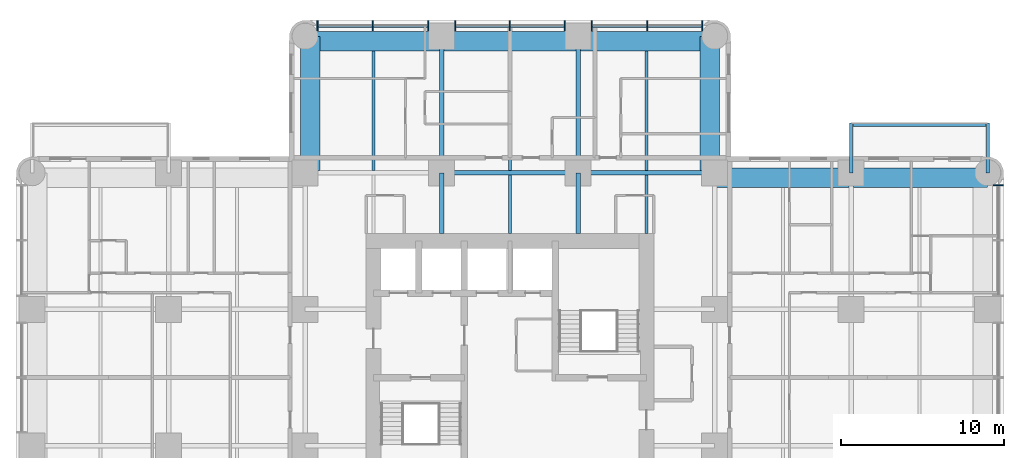
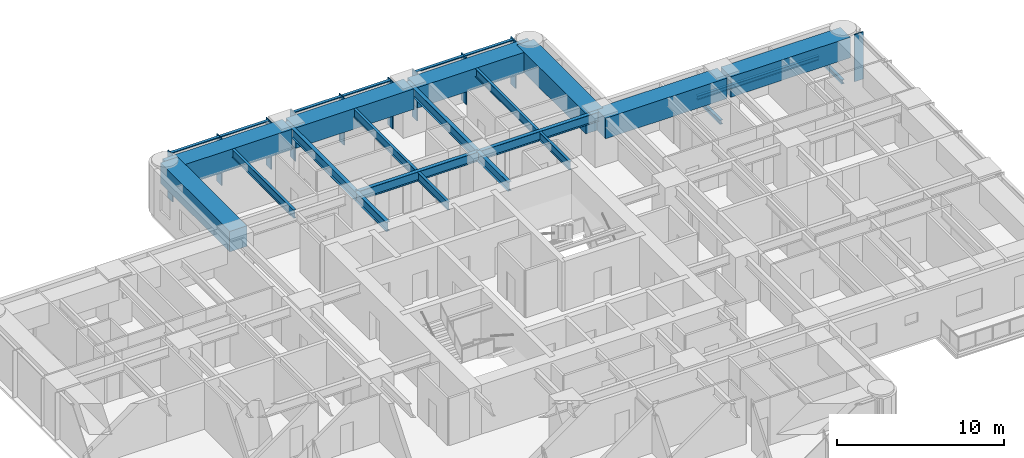
# One storey, part 4 of 15: 21 beams, 16 members, 2 elements without a shape of their own.
"""IFC4 building model written with IfcOpenShell, lengths in metres."""

import ifcopenshell
import ifcopenshell.guid

model = None  # the IFC model being written
_history = None  # IfcOwnerHistory: only IFC2X3 demands one
_inside = {}  # id of a spatial element -> (the spatial element, [elements in it])
_under = {}  # id of a project, library or spatial element -> (it, [spatial elements below it])
_declared = {}  # id of a project -> (the project, [libraries it declares])
_typed = {}  # id of a type object -> (the type object, [elements of that type])
_made_of = {}  # id of a material, layer set ... -> (it, [elements and type objects made of it])


def new_model(schema):
    """Start an empty IFC model of exactly this schema.

    Asked for "IFC4X3", IfcOpenShell would pick the latest addendum, in which some entities
    have other attributes; the version numbers below select the first issue.
    IFC2X3 requires an IfcOwnerHistory on every rooted entity: one is made here for all.
    """
    global model, _history
    if schema == "IFC4X3":
        model = ifcopenshell.file(schema_version=(4, 3, 0, 0))
    else:
        model = ifcopenshell.file(schema=schema)
    _inside.clear()
    _under.clear()
    _declared.clear()
    _typed.clear()
    _made_of.clear()
    _history = None
    if model.schema == "IFC2X3":
        org = make("IfcOrganization", Name="unknown")
        user = make(
            "IfcPersonAndOrganization",
            ThePerson=make("IfcPerson", FamilyName="unknown"),
            TheOrganization=org,
        )
        app = make(
            "IfcApplication",
            ApplicationDeveloper=org,
            Version="unknown",
            ApplicationFullName="unknown",
            ApplicationIdentifier="unknown",
        )
        _history = make(
            "IfcOwnerHistory",
            OwningUser=user,
            OwningApplication=app,
            ChangeAction="ADDED",
            CreationDate=0,
        )
    return model


def make(cls, **values):
    """One entity of the class cls with the attributes given. An attribute that is None is left unset."""
    return model.create_entity(
        cls, **{name: value for name, value in values.items() if value is not None}
    )


def rooted(cls, **values):
    """An entity with a GlobalId (a new one), such as an element, a storey or a relation."""
    return make(cls, GlobalId=ifcopenshell.guid.new(), OwnerHistory=_history, **values)


def si_unit(unit_type, name, prefix=None):
    """IfcSIUnit, for example si_unit("LENGTHUNIT", "METRE", prefix="MILLI")."""
    return make("IfcSIUnit", UnitType=unit_type, Prefix=prefix, Name=name)


def assignment(units):
    """IfcUnitAssignment: the units of a project."""
    return None if units is None else make("IfcUnitAssignment", Units=units)


def point(xyz):
    """IfcCartesianPoint."""
    return None if xyz is None else make("IfcCartesianPoint", Coordinates=xyz)


def direction(xyz):
    """IfcDirection."""
    return None if xyz is None else make("IfcDirection", DirectionRatios=xyz)


def frame(location, z_axis=None, x_axis=None):
    """IfcAxis2Placement3D, a coordinate frame: its origin and axes. An axis left out is left unset."""
    return make(
        "IfcAxis2Placement3D",
        Location=point(location),
        Axis=direction(z_axis),
        RefDirection=direction(x_axis),
    )


def frame_2d(location, x_axis=None):
    """IfcAxis2Placement2D, a coordinate frame in the plane: its origin and x axis."""
    return make(
        "IfcAxis2Placement2D", Location=point(location), RefDirection=direction(x_axis)
    )


def origin():
    """The frame at (0, 0, 0) with its axes left unset."""
    return frame((0.0, 0.0, 0.0))


def origin_2d():
    """The frame at (0, 0) in the plane with its x axis left unset."""
    return frame_2d((0.0, 0.0))


def place(relative_to, where):
    """IfcLocalPlacement: puts the frame where relative to a parent placement (None: the world)."""
    return make(
        "IfcLocalPlacement", PlacementRelTo=relative_to, RelativePlacement=where
    )


def context(
    kind, dimensions, precision=None, world=None, true_north=None, identifier=None
):
    """IfcGeometricRepresentationContext, for example the 3D "Model" context."""
    return make(
        "IfcGeometricRepresentationContext",
        ContextIdentifier=identifier,
        ContextType=kind,
        CoordinateSpaceDimension=dimensions,
        Precision=precision,
        WorldCoordinateSystem=world,
        TrueNorth=true_north,
    )


def subcontext(parent, identifier, kind, view, scale=None):
    """IfcGeometricRepresentationSubContext, for example "Body" below "Model"."""
    return make(
        "IfcGeometricRepresentationSubContext",
        ContextIdentifier=identifier,
        ContextType=kind,
        ParentContext=parent,
        TargetScale=scale,
        TargetView=view,
    )


def project(units=None, contexts=None):
    """IfcProject with its units and contexts."""
    return rooted(
        "IfcProject",
        Name="project",
        RepresentationContexts=contexts,
        UnitsInContext=assignment(units),
    )


def spatial(cls, under=None, at=None, **own):
    """A site, building, storey or space (cls), placed at a placement, below another one or the project."""
    s = rooted(cls, ObjectPlacement=at, **own)
    if under is not None:
        _under.setdefault(under.id(), (under, []))[1].append(s)
    return s


def profile(cls, at=None, kind="AREA", **sizes):
    """A parametric profile (cls). Its sizes go by their IFC names, for example OverallWidth=200.0."""
    return make(cls, ProfileType=kind, Position=at, **sizes)


def rectangle(**sizes):
    """IfcRectangleProfileDef."""
    return profile("IfcRectangleProfileDef", **sizes)


def i_section(**sizes):
    """IfcIShapeProfileDef."""
    return profile("IfcIShapeProfileDef", **sizes)


def extrude(swept, where, along, depth):
    """IfcExtrudedAreaSolid: the profile swept, set in the frame where, extruded along a direction by depth."""
    return make(
        "IfcExtrudedAreaSolid",
        SweptArea=swept,
        Position=where,
        ExtrudedDirection=direction(along),
        Depth=depth,
    )


def shape(context_of_items, identifier, shape_type, items):
    """IfcShapeRepresentation: the items that make up one representation, for example the "Body"."""
    return make(
        "IfcShapeRepresentation",
        ContextOfItems=context_of_items,
        RepresentationIdentifier=identifier,
        RepresentationType=shape_type,
        Items=items,
    )


def material(Name=None, Category=None):
    """IfcMaterial."""
    return make("IfcMaterial", Name=Name, Category=Category)


def material_profile(
    of_material, cross_section, Name=None, Category=None, Priority=None
):
    """IfcMaterialProfile: a cross section and its material."""
    return make(
        "IfcMaterialProfile",
        Name=Name,
        Material=of_material,
        Profile=cross_section,
        Priority=Priority,
        Category=Category,
    )


def profile_set(profiles, Name=None, composite=None):
    """IfcMaterialProfileSet."""
    return make(
        "IfcMaterialProfileSet",
        Name=Name,
        MaterialProfiles=profiles,
        CompositeProfile=composite,
    )


def made_of(thing, what):
    """Note that an element or type object is made of a material, layer set ...; save() writes the relation."""
    if what is not None:
        _made_of.setdefault(what.id(), (what, []))[1].append(thing)
    return thing


def type_object(cls, material=None, **own):
    """A type object (cls), such as IfcWallType, which elements share."""
    return made_of(rooted(cls, **own), material)


def element(
    cls,
    number,
    at=None,
    inside=None,
    cuts=None,
    type_object=None,
    material=None,
    context=None,
    identifier="Body",
    shape_type=None,
    held_by="IfcProductDefinitionShape",
    body=None,
    shapes=None,
    **own,
):
    """One element of the class cls, such as IfcWall. Its Tag is "e" and its number.

    at: its placement. inside: the storey or other place that contains it. cuts: it is an
    opening in that element (IfcRelVoidsElement). A single representation is given by context,
    identifier, shape_type and body (its items); several are given by shapes. held_by: the class
    of the entity that holds the representations. save() writes the other relations.
    """
    e = rooted(cls, Tag="e%d" % number, ObjectPlacement=at, **own)
    if body is not None:
        shapes = [shape(context, identifier, shape_type, body)]
    if shapes is not None:
        e.Representation = make(held_by, Representations=shapes)
    if inside is not None:
        _inside.setdefault(inside.id(), (inside, []))[1].append(e)
    if cuts is not None:
        rooted(
            "IfcRelVoidsElement", RelatingBuildingElement=cuts, RelatedOpeningElement=e
        )
    if type_object is not None:
        _typed.setdefault(type_object.id(), (type_object, []))[1].append(e)
    return made_of(e, material)


def aggregate(whole, parts):
    """IfcRelAggregates: a whole, such as a stair, and the parts it consists of."""
    return rooted("IfcRelAggregates", RelatingObject=whole, RelatedObjects=parts)


def save(model, path):
    """Write the relations noted so far, then the file.

    IfcRelAggregates (storeys below a building ...), IfcRelContainedInSpatialStructure (elements
    in a storey), IfcRelDefinesByType, IfcRelAssociatesMaterial and IfcRelDeclares: one each for
    every whole, place, type object, material and project.
    """
    for whole, parts in _under.values():
        aggregate(whole, parts)
    for where, things in _inside.values():
        rooted(
            "IfcRelContainedInSpatialStructure",
            RelatedElements=things,
            RelatingStructure=where,
        )
    for kind, things in _typed.values():
        rooted("IfcRelDefinesByType", RelatedObjects=things, RelatingType=kind)
    for what, things in _made_of.values():
        rooted("IfcRelAssociatesMaterial", RelatedObjects=things, RelatingMaterial=what)
    for by, libraries in _declared.values():
        rooted("IfcRelDeclares", RelatingContext=by, RelatedDefinitions=libraries)
    model.write(path)


model = new_model("IFC4")

# Units and contexts
model_context = context("Model", 3, precision=1e-05, world=origin(), true_north=direction((0.0, 1.0)))
body_context = subcontext(model_context, "Body", "Model", "MODEL_VIEW")
ifc_project = project(units=[si_unit("LENGTHUNIT", "METRE"), si_unit("AREAUNIT", "SQUARE_METRE"), si_unit("VOLUMEUNIT", "CUBIC_METRE"), si_unit("PLANEANGLEUNIT", "RADIAN"), si_unit("MASSUNIT", "GRAM", prefix="KILO")], contexts=[model_context])

# Site, building, storey
site_placement = place(None, origin())
site = spatial("IfcSite", under=ifc_project, at=site_placement, CompositionType="ELEMENT")
building_placement = place(site_placement, origin())
building = spatial("IfcBuilding", under=site, at=building_placement, Name="Torre Alcanfor", CompositionType="ELEMENT")
storey_placement = place(building_placement, frame((0.0, 0.0, 144.89990234375)))
storey = spatial("IfcBuildingStorey", under=building, at=storey_placement, Name="L37", CompositionType="ELEMENT", Elevation=144.89990234375)

# Beams
ifc_material_1 = material(Name="Steel ASTM A992 Grade 50", Category="steel")
ifc_material_profile_1 = material_profile(ifc_material_1, i_section(OverallWidth=0.205322265625, OverallDepth=0.309814453125, WebThickness=0.00927734375, FlangeThickness=0.016357421875, at=origin_2d()), Name="W12x50")
ifc_profile_set_1 = profile_set([ifc_material_profile_1], Name="Steel ASTM A992 Grade 50")
beam_type_1 = type_object("IfcBeamType", Name="Balcony cantilever beam W12x50", PredefinedType="BEAM", material=ifc_profile_set_1)
for number, where, z_axis, x_axis, name in (
    (1, (50.39990234375, 42.0, -0.354736328125), (0.0, 1.0, 0.0), (-1.0, 0.0, 0.0), "Balcony cantilever beam L37-E1 1"),
    (2, (58.800048828125, 42.0, -0.354736328125), (0.0, 1.0, 0.0), (-1.0, 0.0, 0.0), "Balcony cantilever beam L37-E1 2"),
):
    element("IfcBeam", number, at=place(storey_placement, frame(where, z_axis=z_axis, x_axis=x_axis)), inside=storey, type_object=beam_type_1, Name=name, PredefinedType="BEAM", context=body_context, shape_type="SweptSolid", body=[
        extrude(i_section(OverallWidth=0.205322265625, OverallDepth=0.309814453125, WebThickness=0.00927734375, FlangeThickness=0.016357421875, at=origin_2d()), origin(), (0.0, 0.0, 1.0), 3.050048828125),
    ])
ifc_material_2 = material(Name="Steel ASTM A992 Grade 50", Category="steel")
ifc_material_profile_2 = material_profile(ifc_material_2, i_section(OverallWidth=0.203369140625, OverallDepth=0.30224609375, WebThickness=0.007568359375, FlangeThickness=0.01318359375, at=origin_2d()), Name="W12x40")
ifc_profile_set_2 = profile_set([ifc_material_profile_2], Name="Steel ASTM A992 Grade 50")
beam_type_2 = type_object("IfcBeamType", Name="Balcony edge trimmer W12x40", PredefinedType="BEAM", material=ifc_profile_set_2)
beam_1_placement = place(storey_placement, frame((50.39990234375, 44.9482421875, -0.35107421875), z_axis=(1.0, 0.0, 0.0), x_axis=(0.0, 1.0, 0.0)))
element("IfcBeam", 3, at=beam_1_placement, inside=storey, type_object=beam_type_2, Name="Balcony edge trimmer L37-E1", PredefinedType="BEAM", context=body_context, shape_type="SweptSolid", body=[
    extrude(i_section(OverallWidth=0.203369140625, OverallDepth=0.30224609375, WebThickness=0.007568359375, FlangeThickness=0.01318359375, at=origin_2d()), origin(), (0.0, 0.0, 1.0), 8.400146484375),
])

# Curtain wall, member
ifc_material_3 = material(Name="Aluminium and glass", Category="aluminium")
curtain_wall_type = type_object("IfcCurtainWallType", Name="CW-A unitised apartment glazing with vertical FIN", PredefinedType="NOTDEFINED", material=ifc_material_3)
curtain_wall_1_placement = place(storey_placement, origin())
curtain_wall_1 = element("IfcCurtainWall", 4, at=curtain_wall_1_placement, inside=storey, type_object=curtain_wall_type, Name="Curtain wall CW-A L37 8", PredefinedType="NOTDEFINED")
ifc_material_4 = material(Name="Bronze anodised aluminium", Category="aluminium")
ifc_material_profile_3 = material_profile(ifc_material_4, rectangle(XDim=0.60009765625, YDim=0.06494140625, at=origin_2d()), Name="CW-A mullion 65x600")
ifc_profile_set_3 = profile_set([ifc_material_profile_3], Name="Bronze anodised aluminium")
member_type_1 = type_object("IfcMemberType", Name="CW-A mullion with vertical FIN 65x600", PredefinedType="MULLION", material=ifc_profile_set_3)
member_1_placement = place(storey_placement, frame((59.449951171875, 41.24267578125, 0.0), z_axis=(0.0, 0.0, 1.0), x_axis=(-1.0, 0.0, 0.0)))
member_1 = element("IfcMember", 5, at=member_1_placement, type_object=member_type_1, Name="CW-A mullion 3.3", PredefinedType="MULLION", context=body_context, shape_type="SweptSolid", body=[
    extrude(rectangle(XDim=0.60009765625, YDim=0.06494140625, at=origin_2d()), origin(), (0.0, 0.0, 1.0), 3.4501953125),
])
aggregate(curtain_wall_1, [member_1])

# Curtain wall, members
curtain_wall_2_placement = place(storey_placement, origin())
curtain_wall_2 = element("IfcCurtainWall", 6, at=curtain_wall_2_placement, inside=storey, type_object=curtain_wall_type, Name="Curtain wall CW-A L37 11", PredefinedType="NOTDEFINED")
member_2_placement = place(storey_placement, frame((41.24267578125, 51.050048828125, 0.0), z_axis=(0.0, 0.0, 1.0), x_axis=(0.0, -1.0, 0.0)))
member_2 = element("IfcMember", 7, at=member_2_placement, type_object=member_type_1, Name="CW-A mullion 1.1", PredefinedType="MULLION", context=body_context, shape_type="SweptSolid", body=[
    extrude(rectangle(XDim=0.60009765625, YDim=0.06494140625, at=origin_2d()), origin(), (0.0, 0.0, 1.0), 3.4501953125),
])
member_3_placement = place(storey_placement, frame((37.840087890625, 51.050048828125, 0.0), z_axis=(0.0, 0.0, 1.0), x_axis=(0.0, -1.0, 0.0)))
member_3 = element("IfcMember", 8, at=member_3_placement, type_object=member_type_1, Name="CW-A mullion 1.2", PredefinedType="MULLION", context=body_context, shape_type="SweptSolid", body=[
    extrude(rectangle(XDim=0.60009765625, YDim=0.06494140625, at=origin_2d()), origin(), (0.0, 0.0, 1.0), 3.4501953125),
])
member_4_placement = place(storey_placement, frame((34.4375, 51.050048828125, 0.0), z_axis=(0.0, 0.0, 1.0), x_axis=(0.0, -1.0, 0.0)))
member_4 = element("IfcMember", 9, at=member_4_placement, type_object=member_type_1, Name="CW-A mullion 1.3", PredefinedType="MULLION", context=body_context, shape_type="SweptSolid", body=[
    extrude(rectangle(XDim=0.60009765625, YDim=0.06494140625, at=origin_2d()), origin(), (0.0, 0.0, 1.0), 3.4501953125),
])
member_5_placement = place(storey_placement, frame((32.762451171875, 51.050048828125, 0.0), z_axis=(0.0, 0.0, 1.0), x_axis=(0.0, -1.0, 0.0)))
member_5 = element("IfcMember", 10, at=member_5_placement, type_object=member_type_1, Name="CW-A mullion 2.1", PredefinedType="MULLION", context=body_context, shape_type="SweptSolid", body=[
    extrude(rectangle(XDim=0.60009765625, YDim=0.06494140625, at=origin_2d()), origin(), (0.0, 0.0, 1.0), 3.4501953125),
])
member_6_placement = place(storey_placement, frame((29.39990234375, 51.050048828125, 0.0), z_axis=(0.0, 0.0, 1.0), x_axis=(0.0, -1.0, 0.0)))
member_6 = element("IfcMember", 11, at=member_6_placement, type_object=member_type_1, Name="CW-A mullion 2.2", PredefinedType="MULLION", context=body_context, shape_type="SweptSolid", body=[
    extrude(rectangle(XDim=0.60009765625, YDim=0.06494140625, at=origin_2d()), origin(), (0.0, 0.0, 1.0), 3.4501953125),
])
member_7_placement = place(storey_placement, frame((26.03759765625, 51.050048828125, 0.0), z_axis=(0.0, 0.0, 1.0), x_axis=(0.0, -1.0, 0.0)))
member_7 = element("IfcMember", 12, at=member_7_placement, type_object=member_type_1, Name="CW-A mullion 2.3", PredefinedType="MULLION", context=body_context, shape_type="SweptSolid", body=[
    extrude(rectangle(XDim=0.60009765625, YDim=0.06494140625, at=origin_2d()), origin(), (0.0, 0.0, 1.0), 3.4501953125),
])
member_8_placement = place(storey_placement, frame((24.362548828125, 51.050048828125, 0.0), z_axis=(0.0, 0.0, 1.0), x_axis=(0.0, -1.0, 0.0)))
member_8 = element("IfcMember", 13, at=member_8_placement, type_object=member_type_1, Name="CW-A mullion 3.1", PredefinedType="MULLION", context=body_context, shape_type="SweptSolid", body=[
    extrude(rectangle(XDim=0.60009765625, YDim=0.06494140625, at=origin_2d()), origin(), (0.0, 0.0, 1.0), 3.4501953125),
])
member_9_placement = place(storey_placement, frame((20.9599609375, 51.050048828125, 0.0), z_axis=(0.0, 0.0, 1.0), x_axis=(0.0, -1.0, 0.0)))
member_9 = element("IfcMember", 14, at=member_9_placement, type_object=member_type_1, Name="CW-A mullion 3.2", PredefinedType="MULLION", context=body_context, shape_type="SweptSolid", body=[
    extrude(rectangle(XDim=0.60009765625, YDim=0.06494140625, at=origin_2d()), origin(), (0.0, 0.0, 1.0), 3.4501953125),
])
member_10_placement = place(storey_placement, frame((17.557373046875, 51.050048828125, 0.0), z_axis=(0.0, 0.0, 1.0), x_axis=(0.0, -1.0, 0.0)))
member_10 = element("IfcMember", 15, at=member_10_placement, type_object=member_type_1, Name="CW-A mullion 3.3", PredefinedType="MULLION", context=body_context, shape_type="SweptSolid", body=[
    extrude(rectangle(XDim=0.60009765625, YDim=0.06494140625, at=origin_2d()), origin(), (0.0, 0.0, 1.0), 3.4501953125),
])
ifc_material_5 = material(Name="Extruded aluminium", Category="aluminium")
ifc_material_profile_4 = material_profile(ifc_material_5, rectangle(XDim=0.199951171875, YDim=0.06494140625, at=origin_2d()), Name="CW-A transom 200x65")
ifc_profile_set_4 = profile_set([ifc_material_profile_4], Name="Extruded aluminium")
member_type_2 = type_object("IfcMemberType", Name="CW-A transom 65x200", PredefinedType="USERDEFINED", material=ifc_profile_set_4)
member_11_placement = place(storey_placement, frame((41.210205078125, 51.050048828125, 3.41748046875), z_axis=(-1.0, 0.0, 0.0), x_axis=(0.0, -1.0, 0.0)))
member_11 = element("IfcMember", 16, at=member_11_placement, type_object=member_type_2, Name="CW-A transom 1.1.2", ObjectType="TRANSOM", PredefinedType="USERDEFINED", context=body_context, shape_type="SweptSolid", body=[
    extrude(rectangle(XDim=0.199951171875, YDim=0.06494140625, at=origin_2d()), origin(), (0.0, 0.0, 1.0), 3.337646484375),
])
member_12_placement = place(storey_placement, frame((37.8076171875, 51.050048828125, 3.41748046875), z_axis=(-1.0, 0.0, 0.0), x_axis=(0.0, -1.0, 0.0)))
member_12 = element("IfcMember", 17, at=member_12_placement, type_object=member_type_2, Name="CW-A transom 1.2.2", ObjectType="TRANSOM", PredefinedType="USERDEFINED", context=body_context, shape_type="SweptSolid", body=[
    extrude(rectangle(XDim=0.199951171875, YDim=0.06494140625, at=origin_2d()), origin(), (0.0, 0.0, 1.0), 3.337646484375),
])
member_13_placement = place(storey_placement, frame((32.72998046875, 51.050048828125, 3.41748046875), z_axis=(-1.0, 0.0, 0.0), x_axis=(0.0, -1.0, 0.0)))
member_13 = element("IfcMember", 18, at=member_13_placement, type_object=member_type_2, Name="CW-A transom 2.1.2", ObjectType="TRANSOM", PredefinedType="USERDEFINED", context=body_context, shape_type="SweptSolid", body=[
    extrude(rectangle(XDim=0.199951171875, YDim=0.06494140625, at=origin_2d()), origin(), (0.0, 0.0, 1.0), 3.29736328125),
])
member_14_placement = place(storey_placement, frame((29.367431640625, 51.050048828125, 3.41748046875), z_axis=(-1.0, 0.0, 0.0), x_axis=(0.0, -1.0, 0.0)))
member_14 = element("IfcMember", 19, at=member_14_placement, type_object=member_type_2, Name="CW-A transom 2.2.2", ObjectType="TRANSOM", PredefinedType="USERDEFINED", context=body_context, shape_type="SweptSolid", body=[
    extrude(rectangle(XDim=0.199951171875, YDim=0.06494140625, at=origin_2d()), origin(), (0.0, 0.0, 1.0), 3.29736328125),
])
member_15_placement = place(storey_placement, frame((24.330078125, 51.050048828125, 3.41748046875), z_axis=(-1.0, 0.0, 0.0), x_axis=(0.0, -1.0, 0.0)))
member_15 = element("IfcMember", 20, at=member_15_placement, type_object=member_type_2, Name="CW-A transom 3.1.2", ObjectType="TRANSOM", PredefinedType="USERDEFINED", context=body_context, shape_type="SweptSolid", body=[
    extrude(rectangle(XDim=0.199951171875, YDim=0.06494140625, at=origin_2d()), origin(), (0.0, 0.0, 1.0), 3.337646484375),
])
member_16_placement = place(storey_placement, frame((20.927490234375, 51.050048828125, 3.41748046875), z_axis=(-1.0, 0.0, 0.0), x_axis=(0.0, -1.0, 0.0)))
member_16 = element("IfcMember", 21, at=member_16_placement, type_object=member_type_2, Name="CW-A transom 3.2.2", ObjectType="TRANSOM", PredefinedType="USERDEFINED", context=body_context, shape_type="SweptSolid", body=[
    extrude(rectangle(XDim=0.199951171875, YDim=0.06494140625, at=origin_2d()), origin(), (0.0, 0.0, 1.0), 3.337646484375),
])
aggregate(curtain_wall_2, [member_2, member_3, member_4, member_11, member_12, member_5, member_6, member_7, member_13, member_14, member_8, member_9, member_10, member_15, member_16])

# Beams
ifc_material_6 = material(Name="Steel ASTM A992 Grade 50", Category="steel")
ifc_material_profile_5 = material_profile(ifc_material_6, i_section(OverallWidth=0.25390625, OverallDepth=0.683349609375, WebThickness=0.012451171875, FlangeThickness=0.01904296875, at=origin_2d()), Name="W27x94")
ifc_profile_set_5 = profile_set([ifc_material_profile_5], Name="Steel ASTM A992 Grade 50")
beam_type_3 = type_object("IfcBeamType", Name="Girder W27x94", PredefinedType="BEAM", material=ifc_profile_set_5)
beam_2_placement = place(storey_placement, frame((25.199951171875, 42.0, 3.1083984375), z_axis=(1.0, 0.0, 0.0), x_axis=(0.0, 1.0, 0.0)))
element("IfcBeam", 22, at=beam_2_placement, inside=storey, type_object=beam_type_3, Name="Beam 4H-5H under L38", PredefinedType="BEAM", context=body_context, shape_type="SweptSolid", body=[
    extrude(i_section(OverallWidth=0.25390625, OverallDepth=0.683349609375, WebThickness=0.012451171875, FlangeThickness=0.01904296875, at=origin_2d()), origin(), (0.0, 0.0, 1.0), 8.400146484375),
])
for number, where, z_axis, x_axis, name in (
    (23, (33.60009765625, 42.0, 3.1083984375), (1.0, 0.0, 0.0), (0.0, 1.0, 0.0), "Beam 5H-6H under L38"),
    (24, (25.199951171875, 42.0, 3.1083984375), (0.0, 1.0, 0.0), (-1.0, 0.0, 0.0), "Beam 4H-4J under L38"),
    (25, (33.60009765625, 42.0, 3.1083984375), (0.0, 1.0, 0.0), (-1.0, 0.0, 0.0), "Beam 5H-5J under L38"),
):
    element("IfcBeam", number, at=place(storey_placement, frame(where, z_axis=z_axis, x_axis=x_axis)), inside=storey, type_object=beam_type_3, Name=name, PredefinedType="BEAM", context=body_context, shape_type="SweptSolid", body=[
        extrude(i_section(OverallWidth=0.25390625, OverallDepth=0.683349609375, WebThickness=0.012451171875, FlangeThickness=0.01904296875, at=origin_2d()), origin(), (0.0, 0.0, 1.0), 8.39990234375),
    ])
ifc_material_7 = material(Name="Steel ASTM A992 Grade 50", Category="steel")
ifc_material_profile_6 = material_profile(ifc_material_7, i_section(OverallWidth=0.25390625, OverallDepth=0.683349609375, WebThickness=0.012451171875, FlangeThickness=0.01904296875, at=origin_2d()), Name="W27x94")
ifc_profile_set_6 = profile_set([ifc_material_profile_6], Name="Steel ASTM A992 Grade 50")
beam_type_4 = type_object("IfcBeamType", Name="Girder, part bay W27x94", PredefinedType="BEAM", material=ifc_profile_set_6)
for number, where, z_axis, x_axis, name in (
    (26, (25.199951171875, 42.0, 3.1083984375), (0.0, -1.0, 0.0), (1.0, 0.0, 0.0), "Beam 4H-438_25 under L38"),
    (27, (33.60009765625, 42.0, 3.1083984375), (0.0, -1.0, 0.0), (1.0, 0.0, 0.0), "Beam 5H-538_25 under L38"),
):
    element("IfcBeam", number, at=place(storey_placement, frame(where, z_axis=z_axis, x_axis=x_axis)), inside=storey, type_object=beam_type_4, Name=name, PredefinedType="BEAM", context=body_context, shape_type="SweptSolid", body=[
        extrude(i_section(OverallWidth=0.25390625, OverallDepth=0.683349609375, WebThickness=0.012451171875, FlangeThickness=0.01904296875, at=origin_2d()), origin(), (0.0, 0.0, 1.0), 3.75),
    ])
ifc_material_8 = material(Name="Concrete f'c 70 MPa", Category="concrete")
ifc_material_profile_7 = material_profile(ifc_material_8, rectangle(XDim=1.199951171875, YDim=1.5, at=origin_2d()), Name="1200x1500")
ifc_profile_set_7 = profile_set([ifc_material_profile_7], Name="Concrete f'c 70 MPa")
beam_type_5 = type_object("IfcBeamType", Name="RC perimeter beam 1200x1500", PredefinedType="BEAM", material=ifc_profile_set_7)
beam_3_placement = place(storey_placement, frame((41.873046875, 41.699951171875, 2.7001953125), z_axis=(1.0, 0.0, 0.0), x_axis=(0.0, 1.0, 0.0)))
element("IfcBeam", 28, at=beam_3_placement, inside=storey, type_object=beam_type_5, Name="Beam 6H-7H under L38", PredefinedType="BEAM", context=body_context, shape_type="SweptSolid", body=[
    extrude(rectangle(XDim=1.199951171875, YDim=1.5, at=origin_2d()), origin(), (0.0, 0.0, 1.0), 8.39990234375),
])
for number, where, z_axis, x_axis, name in (
    (29, (50.527099609375, 41.699951171875, 2.7001953125), (1.0, 0.0, 0.0), (0.0, 1.0, 0.0), "Beam 7H-8H under L38"),
    (30, (16.800048828125, 50.10009765625, 2.7001953125), (1.0, 0.0, 0.0), (0.0, 1.0, 0.0), "Beam 3J-4J under L38"),
):
    element("IfcBeam", number, at=place(storey_placement, frame(where, z_axis=z_axis, x_axis=x_axis)), inside=storey, type_object=beam_type_5, Name=name, PredefinedType="BEAM", context=body_context, shape_type="SweptSolid", body=[
        extrude(rectangle(XDim=1.199951171875, YDim=1.5, at=origin_2d()), origin(), (0.0, 0.0, 1.0), 8.27294921875),
    ])
beam_4_placement = place(storey_placement, frame((25.326904296875, 50.10009765625, 2.7001953125), z_axis=(1.0, 0.0, 0.0), x_axis=(0.0, 1.0, 0.0)))
element("IfcBeam", 31, at=beam_4_placement, inside=storey, type_object=beam_type_5, Name="Beam 4J-5J under L38", PredefinedType="BEAM", context=body_context, shape_type="SweptSolid", body=[
    extrude(rectangle(XDim=1.199951171875, YDim=1.5, at=origin_2d()), origin(), (0.0, 0.0, 1.0), 8.14599609375),
])
for number, where, z_axis, x_axis, name in (
    (32, (33.72705078125, 50.10009765625, 2.7001953125), (1.0, 0.0, 0.0), (0.0, 1.0, 0.0), "Beam 5J-6J under L38"),
    (33, (17.10009765625, 42.126953125, 2.7001953125), (0.0, 1.0, 0.0), (-1.0, 0.0, 0.0), "Beam 3H-3J under L38"),
    (34, (41.699951171875, 42.126953125, 2.7001953125), (0.0, 1.0, 0.0), (-1.0, 0.0, 0.0), "Beam 6H-6J under L38"),
):
    element("IfcBeam", number, at=place(storey_placement, frame(where, z_axis=z_axis, x_axis=x_axis)), inside=storey, type_object=beam_type_5, Name=name, PredefinedType="BEAM", context=body_context, shape_type="SweptSolid", body=[
        extrude(rectangle(XDim=1.199951171875, YDim=1.5, at=origin_2d()), origin(), (0.0, 0.0, 1.0), 8.27294921875),
    ])
ifc_material_9 = material(Name="Steel ASTM A992 Grade 50", Category="steel")
ifc_material_profile_8 = material_profile(ifc_material_9, i_section(OverallWidth=0.1787109375, OverallDepth=0.60205078125, WebThickness=0.010986328125, FlangeThickness=0.014892578125, at=origin_2d()), Name="W24x62")
ifc_profile_set_8 = profile_set([ifc_material_profile_8], Name="Steel ASTM A992 Grade 50")
beam_type_6 = type_object("IfcBeamType", Name="Secondary beam W24x62", PredefinedType="BEAM", material=ifc_profile_set_8)
for number, where, z_axis, x_axis, name in (
    (35, (21.0, 42.126953125, 3.149169921875), (0.0, 1.0, 0.0), (-1.0, 0.0, 0.0), "Beam 21H-21J under L38"),
    (36, (29.39990234375, 42.126953125, 3.149169921875), (0.0, 1.0, 0.0), (-1.0, 0.0, 0.0), "Beam 29_4H-29_4J under L38"),
    (37, (37.800048828125, 42.126953125, 3.149169921875), (0.0, 1.0, 0.0), (-1.0, 0.0, 0.0), "Beam 37_8H-37_8J under L38"),
):
    element("IfcBeam", number, at=place(storey_placement, frame(where, z_axis=z_axis, x_axis=x_axis)), inside=storey, type_object=beam_type_6, Name=name, PredefinedType="BEAM", context=body_context, shape_type="SweptSolid", body=[
        extrude(i_section(OverallWidth=0.1787109375, OverallDepth=0.60205078125, WebThickness=0.010986328125, FlangeThickness=0.014892578125, at=origin_2d()), origin(), (0.0, 0.0, 1.0), 7.373046875),
    ])
ifc_material_10 = material(Name="Steel ASTM A992 Grade 50", Category="steel")
ifc_material_profile_9 = material_profile(ifc_material_10, i_section(OverallWidth=0.1787109375, OverallDepth=0.60205078125, WebThickness=0.010986328125, FlangeThickness=0.014892578125, at=origin_2d()), Name="W24x62")
ifc_profile_set_9 = profile_set([ifc_material_profile_9], Name="Steel ASTM A992 Grade 50")
beam_type_7 = type_object("IfcBeamType", Name="Secondary beam, part bay W24x62", PredefinedType="BEAM", material=ifc_profile_set_9)
for number, where, z_axis, x_axis, name in (
    (38, (29.39990234375, 38.25, 3.149169921875), (0.0, 1.0, 0.0), (-1.0, 0.0, 0.0), "Beam 29_438_25-29_4H under L38"),
    (39, (37.800048828125, 38.25, 3.149169921875), (0.0, 1.0, 0.0), (-1.0, 0.0, 0.0), "Beam 37_838_25-37_8H under L38"),
):
    element("IfcBeam", number, at=place(storey_placement, frame(where, z_axis=z_axis, x_axis=x_axis)), inside=storey, type_object=beam_type_7, Name=name, PredefinedType="BEAM", context=body_context, shape_type="SweptSolid", body=[
        extrude(i_section(OverallWidth=0.1787109375, OverallDepth=0.60205078125, WebThickness=0.010986328125, FlangeThickness=0.014892578125, at=origin_2d()), origin(), (0.0, 0.0, 1.0), 3.623046875),
    ])

save(model, "model.ifc")
